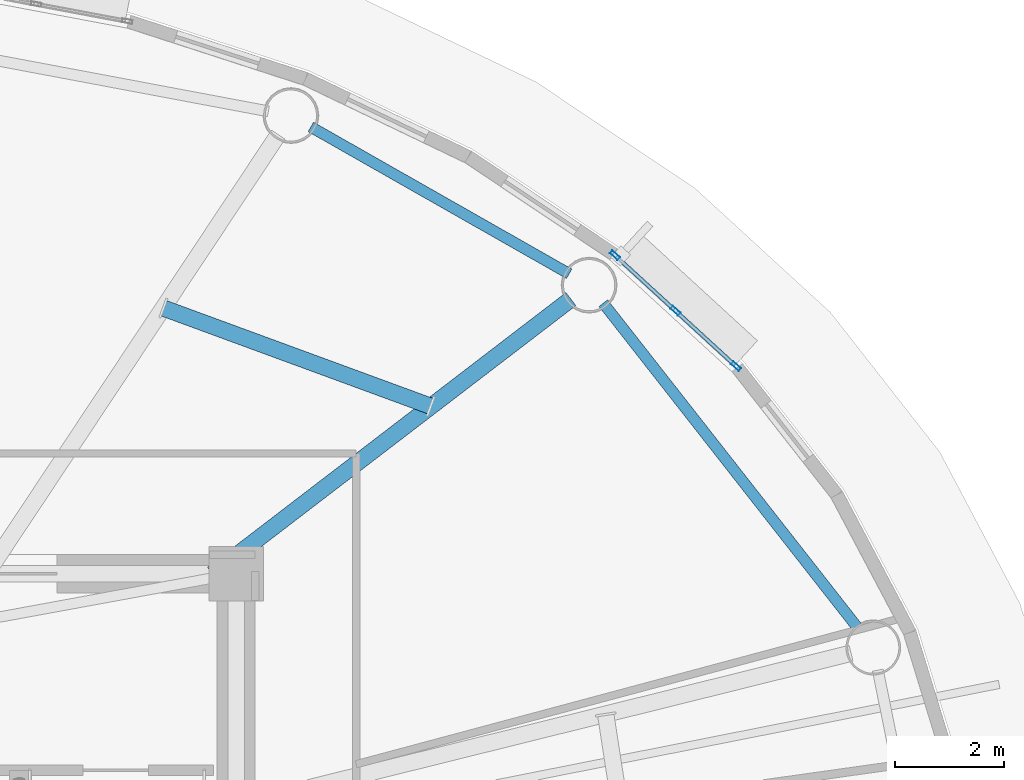
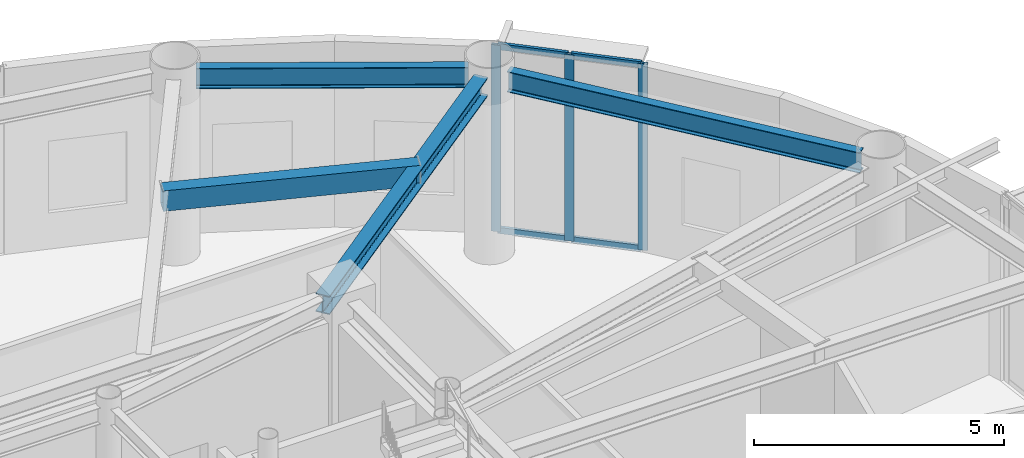
# One storey, part 17 of 32: 7 members, 4 beams, 1 element without a shape of its own.
"""IFC4 building model written with IfcOpenShell, lengths in metres."""

import ifcopenshell
import ifcopenshell.guid

model = None  # the IFC model being written
_history = None  # IfcOwnerHistory: only IFC2X3 demands one
_inside = {}  # id of a spatial element -> (the spatial element, [elements in it])
_under = {}  # id of a project, library or spatial element -> (it, [spatial elements below it])
_declared = {}  # id of a project -> (the project, [libraries it declares])
_typed = {}  # id of a type object -> (the type object, [elements of that type])
_made_of = {}  # id of a material, layer set ... -> (it, [elements and type objects made of it])


def new_model(schema):
    """Start an empty IFC model of exactly this schema.

    Asked for "IFC4X3", IfcOpenShell would pick the latest addendum, in which some entities
    have other attributes; the version numbers below select the first issue.
    IFC2X3 requires an IfcOwnerHistory on every rooted entity: one is made here for all.
    """
    global model, _history
    if schema == "IFC4X3":
        model = ifcopenshell.file(schema_version=(4, 3, 0, 0))
    else:
        model = ifcopenshell.file(schema=schema)
    _inside.clear()
    _under.clear()
    _declared.clear()
    _typed.clear()
    _made_of.clear()
    _history = None
    if model.schema == "IFC2X3":
        org = make("IfcOrganization", Name="unknown")
        user = make(
            "IfcPersonAndOrganization",
            ThePerson=make("IfcPerson", FamilyName="unknown"),
            TheOrganization=org,
        )
        app = make(
            "IfcApplication",
            ApplicationDeveloper=org,
            Version="unknown",
            ApplicationFullName="unknown",
            ApplicationIdentifier="unknown",
        )
        _history = make(
            "IfcOwnerHistory",
            OwningUser=user,
            OwningApplication=app,
            ChangeAction="ADDED",
            CreationDate=0,
        )
    return model


def make(cls, **values):
    """One entity of the class cls with the attributes given. An attribute that is None is left unset."""
    return model.create_entity(
        cls, **{name: value for name, value in values.items() if value is not None}
    )


def rooted(cls, **values):
    """An entity with a GlobalId (a new one), such as an element, a storey or a relation."""
    return make(cls, GlobalId=ifcopenshell.guid.new(), OwnerHistory=_history, **values)


def si_unit(unit_type, name, prefix=None):
    """IfcSIUnit, for example si_unit("LENGTHUNIT", "METRE", prefix="MILLI")."""
    return make("IfcSIUnit", UnitType=unit_type, Prefix=prefix, Name=name)


def assignment(units):
    """IfcUnitAssignment: the units of a project."""
    return None if units is None else make("IfcUnitAssignment", Units=units)


def point(xyz):
    """IfcCartesianPoint."""
    return None if xyz is None else make("IfcCartesianPoint", Coordinates=xyz)


def direction(xyz):
    """IfcDirection."""
    return None if xyz is None else make("IfcDirection", DirectionRatios=xyz)


def frame(location, z_axis=None, x_axis=None):
    """IfcAxis2Placement3D, a coordinate frame: its origin and axes. An axis left out is left unset."""
    return make(
        "IfcAxis2Placement3D",
        Location=point(location),
        Axis=direction(z_axis),
        RefDirection=direction(x_axis),
    )


def frame_2d(location, x_axis=None):
    """IfcAxis2Placement2D, a coordinate frame in the plane: its origin and x axis."""
    return make(
        "IfcAxis2Placement2D", Location=point(location), RefDirection=direction(x_axis)
    )


def origin():
    """The frame at (0, 0, 0) with its axes left unset."""
    return frame((0.0, 0.0, 0.0))


def origin_2d():
    """The frame at (0, 0) in the plane with its x axis left unset."""
    return frame_2d((0.0, 0.0))


def place(relative_to, where):
    """IfcLocalPlacement: puts the frame where relative to a parent placement (None: the world)."""
    return make(
        "IfcLocalPlacement", PlacementRelTo=relative_to, RelativePlacement=where
    )


def context(
    kind, dimensions, precision=None, world=None, true_north=None, identifier=None
):
    """IfcGeometricRepresentationContext, for example the 3D "Model" context."""
    return make(
        "IfcGeometricRepresentationContext",
        ContextIdentifier=identifier,
        ContextType=kind,
        CoordinateSpaceDimension=dimensions,
        Precision=precision,
        WorldCoordinateSystem=world,
        TrueNorth=true_north,
    )


def subcontext(parent, identifier, kind, view, scale=None):
    """IfcGeometricRepresentationSubContext, for example "Body" below "Model"."""
    return make(
        "IfcGeometricRepresentationSubContext",
        ContextIdentifier=identifier,
        ContextType=kind,
        ParentContext=parent,
        TargetScale=scale,
        TargetView=view,
    )


def project(units=None, contexts=None):
    """IfcProject with its units and contexts."""
    return rooted(
        "IfcProject",
        Name="project",
        RepresentationContexts=contexts,
        UnitsInContext=assignment(units),
    )


def spatial(cls, under=None, at=None, **own):
    """A site, building, storey or space (cls), placed at a placement, below another one or the project."""
    s = rooted(cls, ObjectPlacement=at, **own)
    if under is not None:
        _under.setdefault(under.id(), (under, []))[1].append(s)
    return s


def profile(cls, at=None, kind="AREA", **sizes):
    """A parametric profile (cls). Its sizes go by their IFC names, for example OverallWidth=200.0."""
    return make(cls, ProfileType=kind, Position=at, **sizes)


def hollow_rectangle(**sizes):
    """IfcRectangleHollowProfileDef."""
    return profile("IfcRectangleHollowProfileDef", **sizes)


def i_section(**sizes):
    """IfcIShapeProfileDef."""
    return profile("IfcIShapeProfileDef", **sizes)


def extrude(swept, where, along, depth):
    """IfcExtrudedAreaSolid: the profile swept, set in the frame where, extruded along a direction by depth."""
    return make(
        "IfcExtrudedAreaSolid",
        SweptArea=swept,
        Position=where,
        ExtrudedDirection=direction(along),
        Depth=depth,
    )


def shape(context_of_items, identifier, shape_type, items):
    """IfcShapeRepresentation: the items that make up one representation, for example the "Body"."""
    return make(
        "IfcShapeRepresentation",
        ContextOfItems=context_of_items,
        RepresentationIdentifier=identifier,
        RepresentationType=shape_type,
        Items=items,
    )


def source(mapping_origin, context_of_items, identifier, shape_type, items):
    """IfcRepresentationMap: a shape defined once, which mapped items show again and again."""
    return make(
        "IfcRepresentationMap",
        MappingOrigin=mapping_origin,
        MappedRepresentation=shape(context_of_items, identifier, shape_type, items),
    )


def transform(
    local_origin,
    x_axis=None,
    y_axis=None,
    z_axis=None,
    scale=None,
    scale2=None,
    scale3=None,
    uniform=True,
):
    """IfcCartesianTransformationOperator3D, or its non-uniform kind. x_axis, y_axis, z_axis: its Axis1, 2, 3."""
    if uniform:
        return make(
            "IfcCartesianTransformationOperator3D",
            Axis1=direction(x_axis),
            Axis2=direction(y_axis),
            LocalOrigin=point(local_origin),
            Scale=scale,
            Axis3=direction(z_axis),
        )
    return make(
        "IfcCartesianTransformationOperator3DnonUniform",
        Axis1=direction(x_axis),
        Axis2=direction(y_axis),
        LocalOrigin=point(local_origin),
        Scale=scale,
        Axis3=direction(z_axis),
        Scale2=scale2,
        Scale3=scale3,
    )


def mapped(mapping_source, mapping_target):
    """IfcMappedItem: shows the shape of a source again, moved by a transform."""
    return make(
        "IfcMappedItem", MappingSource=mapping_source, MappingTarget=mapping_target
    )


def material(Name=None, Category=None):
    """IfcMaterial."""
    return make("IfcMaterial", Name=Name, Category=Category)


def layer(
    of_material, thickness, ventilated=None, Name=None, Category=None, Priority=None
):
    """IfcMaterialLayer: one layer of a wall or slab, of a material (None: an air gap)."""
    return make(
        "IfcMaterialLayer",
        Material=of_material,
        LayerThickness=thickness,
        IsVentilated=ventilated,
        Name=Name,
        Category=Category,
        Priority=Priority,
    )


def layer_set(layers, Name=None):
    """IfcMaterialLayerSet."""
    return make("IfcMaterialLayerSet", MaterialLayers=layers, LayerSetName=Name)


def material_profile(
    of_material, cross_section, Name=None, Category=None, Priority=None
):
    """IfcMaterialProfile: a cross section and its material."""
    return make(
        "IfcMaterialProfile",
        Name=Name,
        Material=of_material,
        Profile=cross_section,
        Priority=Priority,
        Category=Category,
    )


def profile_set(profiles, Name=None, composite=None):
    """IfcMaterialProfileSet."""
    return make(
        "IfcMaterialProfileSet",
        Name=Name,
        MaterialProfiles=profiles,
        CompositeProfile=composite,
    )


def made_of(thing, what):
    """Note that an element or type object is made of a material, layer set ...; save() writes the relation."""
    if what is not None:
        _made_of.setdefault(what.id(), (what, []))[1].append(thing)
    return thing


def type_object(cls, material=None, **own):
    """A type object (cls), such as IfcWallType, which elements share."""
    return made_of(rooted(cls, **own), material)


def element(
    cls,
    number,
    at=None,
    inside=None,
    cuts=None,
    type_object=None,
    material=None,
    context=None,
    identifier="Body",
    shape_type=None,
    held_by="IfcProductDefinitionShape",
    body=None,
    shapes=None,
    **own,
):
    """One element of the class cls, such as IfcWall. Its Tag is "e" and its number.

    at: its placement. inside: the storey or other place that contains it. cuts: it is an
    opening in that element (IfcRelVoidsElement). A single representation is given by context,
    identifier, shape_type and body (its items); several are given by shapes. held_by: the class
    of the entity that holds the representations. save() writes the other relations.
    """
    e = rooted(cls, Tag="e%d" % number, ObjectPlacement=at, **own)
    if body is not None:
        shapes = [shape(context, identifier, shape_type, body)]
    if shapes is not None:
        e.Representation = make(held_by, Representations=shapes)
    if inside is not None:
        _inside.setdefault(inside.id(), (inside, []))[1].append(e)
    if cuts is not None:
        rooted(
            "IfcRelVoidsElement", RelatingBuildingElement=cuts, RelatedOpeningElement=e
        )
    if type_object is not None:
        _typed.setdefault(type_object.id(), (type_object, []))[1].append(e)
    return made_of(e, material)


def aggregate(whole, parts):
    """IfcRelAggregates: a whole, such as a stair, and the parts it consists of."""
    return rooted("IfcRelAggregates", RelatingObject=whole, RelatedObjects=parts)


def save(model, path):
    """Write the relations noted so far, then the file.

    IfcRelAggregates (storeys below a building ...), IfcRelContainedInSpatialStructure (elements
    in a storey), IfcRelDefinesByType, IfcRelAssociatesMaterial and IfcRelDeclares: one each for
    every whole, place, type object, material and project.
    """
    for whole, parts in _under.values():
        aggregate(whole, parts)
    for where, things in _inside.values():
        rooted(
            "IfcRelContainedInSpatialStructure",
            RelatedElements=things,
            RelatingStructure=where,
        )
    for kind, things in _typed.values():
        rooted("IfcRelDefinesByType", RelatedObjects=things, RelatingType=kind)
    for what, things in _made_of.values():
        rooted("IfcRelAssociatesMaterial", RelatedObjects=things, RelatingMaterial=what)
    for by, libraries in _declared.values():
        rooted("IfcRelDeclares", RelatingContext=by, RelatedDefinitions=libraries)
    model.write(path)


model = new_model("IFC4")

# Units and contexts
model_context = context("Model", 3, precision=1e-05, world=origin(), true_north=direction((0.0, 1.0)))
body_context = subcontext(model_context, "Body", "Model", "MODEL_VIEW")
ifc_project = project(units=[si_unit("LENGTHUNIT", "METRE"), si_unit("AREAUNIT", "SQUARE_METRE"), si_unit("VOLUMEUNIT", "CUBIC_METRE"), si_unit("PLANEANGLEUNIT", "RADIAN"), si_unit("MASSUNIT", "GRAM", prefix="KILO")], contexts=[model_context])

# Site, building, storey
site_placement = place(None, origin())
site = spatial("IfcSite", under=ifc_project, at=site_placement, CompositionType="ELEMENT")
building_placement = place(site_placement, origin())
building = spatial("IfcBuilding", under=site, at=building_placement, Name="Linh Dai School and Residence Tower", CompositionType="ELEMENT")
storey_placement = place(building_placement, frame((0.0, 0.0, 268.199951171875)))
storey = spatial("IfcBuildingStorey", under=building, at=storey_placement, Name="L66", CompositionType="ELEMENT", Elevation=268.199951171875)

# Beams
ifc_material_1 = material(Name="Structural Steel S355JR", Category="steel")
ifc_material_profile_1 = material_profile(ifc_material_1, hollow_rectangle(XDim=0.300048828125, YDim=0.5, WallThickness=0.01611328125, at=origin_2d()), Name="RHS 500x300x16")
ifc_profile_set_1 = profile_set([ifc_material_profile_1], Name="Structural Steel S355JR")
beam_type_1 = type_object("IfcBeamType", Name="BM-BX5", PredefinedType="BEAM", material=ifc_profile_set_1)
beam_1_placement = place(storey_placement, frame((48.4140625, 36.51611328125, 4.300048828125), z_axis=(-0.938699136888, 0.344737480418, 0.0), x_axis=(-0.344737480418, -0.938699136888, 0.0)))
element("IfcBeam", 1, at=beam_1_placement, inside=storey, type_object=beam_type_1, Name="L66 Secondary Circumferential Floor Beam 02", PredefinedType="BEAM", context=body_context, shape_type="SweptSolid", body=[
    extrude(hollow_rectangle(XDim=0.300048828125, YDim=0.5, WallThickness=0.01611328125, at=origin_2d()), origin(), (0.0, 0.0, 1.0), 5.21435546875),
])
ifc_material_profile_2 = material_profile(ifc_material_1, i_section(OverallWidth=0.199951171875, OverallDepth=0.5, WebThickness=0.01025390625, FlangeThickness=0.01611328125, FilletRadius=0.02099609375, at=origin_2d()), Name="IPE 500")
ifc_profile_set_2 = profile_set([ifc_material_profile_2], Name="Structural Steel S355JR")
beam_type_2 = type_object("IfcBeamType", Name="BM-RB50", PredefinedType="BEAM", material=ifc_profile_set_2)
beam_2_placement = place(storey_placement, frame((56.259521484375, 32.425048828125, 4.300048828125), z_axis=(-0.616882739554, 0.787055071542, 0.0), x_axis=(-0.787055071542, -0.616882739554, 0.0)))
element("IfcBeam", 2, at=beam_2_placement, inside=storey, type_object=beam_type_2, Name="L66 Perimeter Elliptical Ring Beam 02", PredefinedType="BEAM", context=body_context, shape_type="SweptSolid", body=[
    extrude(i_section(OverallWidth=0.199951171875, OverallDepth=0.5, WebThickness=0.01025390625, FlangeThickness=0.01611328125, FilletRadius=0.02099609375, at=origin_2d()), origin(), (0.0, 0.0, 1.0), 7.59521484375),
])
beam_3_placement = place(storey_placement, frame((50.949951171875, 38.94091796875, 4.300048828125), z_axis=(-0.869265548778, 0.494345431564, 0.0), x_axis=(-0.494345431564, -0.869265548778, 0.0)))
element("IfcBeam", 3, at=beam_3_placement, inside=storey, type_object=beam_type_2, Name="L66 Perimeter Elliptical Ring Beam 03", PredefinedType="BEAM", context=body_context, shape_type="SweptSolid", body=[
    extrude(i_section(OverallWidth=0.199951171875, OverallDepth=0.5, WebThickness=0.01025390625, FlangeThickness=0.01611328125, FilletRadius=0.02099609375, at=origin_2d()), origin(), (0.0, 0.0, 1.0), 5.44189453125),
])
ifc_material_profile_3 = material_profile(ifc_material_1, i_section(OverallWidth=0.300048828125, OverallDepth=0.449951171875, WebThickness=0.013916015625, FlangeThickness=0.02587890625, FilletRadius=0.027099609375, at=origin_2d()), Name="HEB 450")
ifc_profile_set_3 = profile_set([ifc_material_profile_3], Name="Structural Steel S355JR")
beam_type_3 = type_object("IfcBeamType", Name="BM-RG45", PredefinedType="BEAM", material=ifc_profile_set_3)
beam_4_placement = place(storey_placement, frame((44.4189453125, 33.449951171875, 4.324951171875), z_axis=(0.793802616583, 0.608175472956, 0.0), x_axis=(-0.608175472956, 0.793802616583, 0.0)))
element("IfcBeam", 4, at=beam_4_placement, inside=storey, type_object=beam_type_3, Name="L66 Primary Radial Floor Girder 03", PredefinedType="BEAM", context=body_context, shape_type="SweptSolid", body=[
    extrude(i_section(OverallWidth=0.300048828125, OverallDepth=0.449951171875, WebThickness=0.013916015625, FlangeThickness=0.02587890625, FilletRadius=0.027099609375, at=origin_2d()), origin(), (0.0, 0.0, 1.0), 8.267578125),
])

# Curtain wall, members
ifc_material_2 = material(Name="Aluminium Anodised Curtain Wall", Category="aluminium")
ifc_layer = layer(ifc_material_2, 0.18994140625)
ifc_layer_set = layer_set([ifc_layer], Name="Aluminium Anodised Curtain Wall")
curtain_wall_type = type_object("IfcCurtainWallType", Name="CW-SYS-5", PredefinedType="USERDEFINED", material=ifc_layer_set)
curtain_wall_placement = place(storey_placement, origin())
curtain_wall = element("IfcCurtainWall", 5, at=curtain_wall_placement, inside=storey, type_object=curtain_wall_type, Name="L66 CW5 Curtain Wall 05", ObjectType="UNITISED CURTAIN WALL", PredefinedType="USERDEFINED")
ifc_material_3 = material(Name="Aluminium Alloy 6063-T6", Category="aluminium")
ifc_material_profile_4 = material_profile(ifc_material_3, hollow_rectangle(XDim=0.070068359375, YDim=0.18994140625, WallThickness=0.00390625, at=origin_2d()), Name="RHS 190x70x4")
ifc_profile_set_4 = profile_set([ifc_material_profile_4], Name="Aluminium Alloy 6063-T6")
member_type_1 = type_object("IfcMemberType", Name="CW-SYS-5-MUL", PredefinedType="MULLION", material=ifc_profile_set_4)
shared_shape_1 = source(origin(), body_context, "Body", "SweptSolid", [
    extrude(hollow_rectangle(XDim=0.070068359375, YDim=0.18994140625, WallThickness=0.00390625, at=origin_2d()), origin(), (0.0, 0.0, 1.0), 4.550048828125),
])
member_1_placement = place(storey_placement, frame((51.787841796875, 39.280517578125, 0.0), z_axis=(0.0, 0.0, 1.0), x_axis=(0.67577730889, 0.737105846394, 0.0)))
member_1 = element("IfcMember", 6, at=member_1_placement, type_object=member_type_1, Name="CW5 mullion 1", PredefinedType="MULLION", context=body_context, shape_type="MappedRepresentation", body=[
    mapped(shared_shape_1, transform((0.0, 0.0, 0.0), x_axis=(1.0, 0.0, 0.0), y_axis=(0.0, 1.0, 0.0), z_axis=(0.0, 0.0, 1.0), scale=1.0)),
])
member_2_placement = place(storey_placement, frame((52.896240234375, 38.264404296875, 0.0), z_axis=(0.0, 0.0, 1.0), x_axis=(0.67577730889, 0.737105846394, 0.0)))
member_2 = element("IfcMember", 7, at=member_2_placement, type_object=member_type_1, Name="CW5 mullion 2", PredefinedType="MULLION", context=body_context, shape_type="MappedRepresentation", body=[
    mapped(shared_shape_1, transform((0.0, 0.0, 0.0), x_axis=(1.0, 0.0, 0.0), y_axis=(0.0, 1.0, 0.0), z_axis=(0.0, 0.0, 1.0), scale=1.0)),
])
member_3_placement = place(storey_placement, frame((54.004638671875, 37.248291015625, 0.0), z_axis=(0.0, 0.0, 1.0), x_axis=(0.67577730889, 0.737105846394, 0.0)))
member_3 = element("IfcMember", 8, at=member_3_placement, type_object=member_type_1, Name="CW5 mullion 3", PredefinedType="MULLION", context=body_context, shape_type="MappedRepresentation", body=[
    mapped(shared_shape_1, transform((0.0, 0.0, 0.0), x_axis=(1.0, 0.0, 0.0), y_axis=(0.0, 1.0, 0.0), z_axis=(0.0, 0.0, 1.0), scale=1.0)),
])
ifc_material_profile_5 = material_profile(ifc_material_3, hollow_rectangle(XDim=0.070068359375, YDim=0.14990234375, WallThickness=0.00390625, at=origin_2d()), Name="RHS 150x70x4")
ifc_profile_set_5 = profile_set([ifc_material_profile_5], Name="Aluminium Alloy 6063-T6")
member_type_2 = type_object("IfcMemberType", Name="CW-SYS-5-TRN", PredefinedType="USERDEFINED", material=ifc_profile_set_5)
shared_shape_2 = source(origin(), body_context, "Body", "SweptSolid", [
    extrude(hollow_rectangle(XDim=0.070068359375, YDim=0.14990234375, WallThickness=0.00390625, at=origin_2d()), origin(), (0.0, 0.0, 1.0), 1.43359375),
])
member_4_placement = place(storey_placement, frame((51.813720703125, 39.2568359375, 0.03515625), z_axis=(0.73709758216, -0.675786323015, 0.0), x_axis=(0.675786323015, 0.73709758216, 0.0)))
member_4 = element("IfcMember", 9, at=member_4_placement, type_object=member_type_2, Name="CW5 transom 1.1", ObjectType="TRANSOM", PredefinedType="USERDEFINED", context=body_context, shape_type="MappedRepresentation", body=[
    mapped(shared_shape_2, transform((0.0, 0.0, 0.0), x_axis=(1.0, 0.0, 0.0), y_axis=(0.0, 1.0, 0.0), z_axis=(0.0, 0.0, 1.0), scale=1.0)),
])
member_5_placement = place(storey_placement, frame((51.813720703125, 39.2568359375, 4.51513671875), z_axis=(0.73709758216, -0.675786323015, 0.0), x_axis=(0.675786323015, 0.73709758216, 0.0)))
member_5 = element("IfcMember", 10, at=member_5_placement, type_object=member_type_2, Name="CW5 transom 1.2", ObjectType="TRANSOM", PredefinedType="USERDEFINED", context=body_context, shape_type="MappedRepresentation", body=[
    mapped(shared_shape_2, transform((0.0, 0.0, 0.0), x_axis=(1.0, 0.0, 0.0), y_axis=(0.0, 1.0, 0.0), z_axis=(0.0, 0.0, 1.0), scale=1.0)),
])
member_6_placement = place(storey_placement, frame((52.922119140625, 38.24072265625, 0.03515625), z_axis=(0.73709758216, -0.675786323015, 0.0), x_axis=(0.675786323015, 0.73709758216, 0.0)))
member_6 = element("IfcMember", 11, at=member_6_placement, type_object=member_type_2, Name="CW5 transom 2.1", ObjectType="TRANSOM", PredefinedType="USERDEFINED", context=body_context, shape_type="MappedRepresentation", body=[
    mapped(shared_shape_2, transform((0.0, 0.0, 0.0), x_axis=(1.0, 0.0, 0.0), y_axis=(0.0, 1.0, 0.0), z_axis=(0.0, 0.0, 1.0), scale=1.0)),
])
member_7_placement = place(storey_placement, frame((52.922119140625, 38.24072265625, 4.51513671875), z_axis=(0.73709758216, -0.675786323015, 0.0), x_axis=(0.675786323015, 0.73709758216, 0.0)))
member_7 = element("IfcMember", 12, at=member_7_placement, type_object=member_type_2, Name="CW5 transom 2.2", ObjectType="TRANSOM", PredefinedType="USERDEFINED", context=body_context, shape_type="MappedRepresentation", body=[
    mapped(shared_shape_2, transform((0.0, 0.0, 0.0), x_axis=(1.0, 0.0, 0.0), y_axis=(0.0, 1.0, 0.0), z_axis=(0.0, 0.0, 1.0), scale=1.0)),
])
aggregate(curtain_wall, [member_1, member_2, member_3, member_4, member_5, member_6, member_7])

save(model, "model.ifc")
